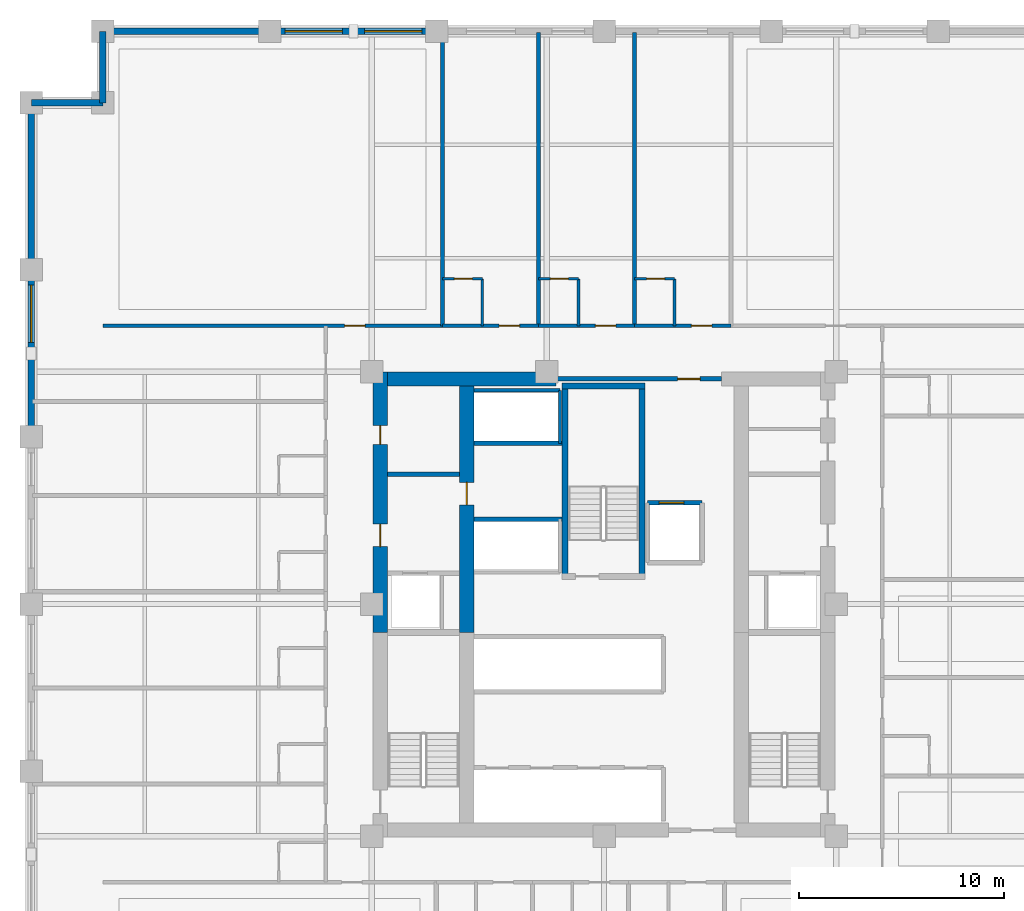
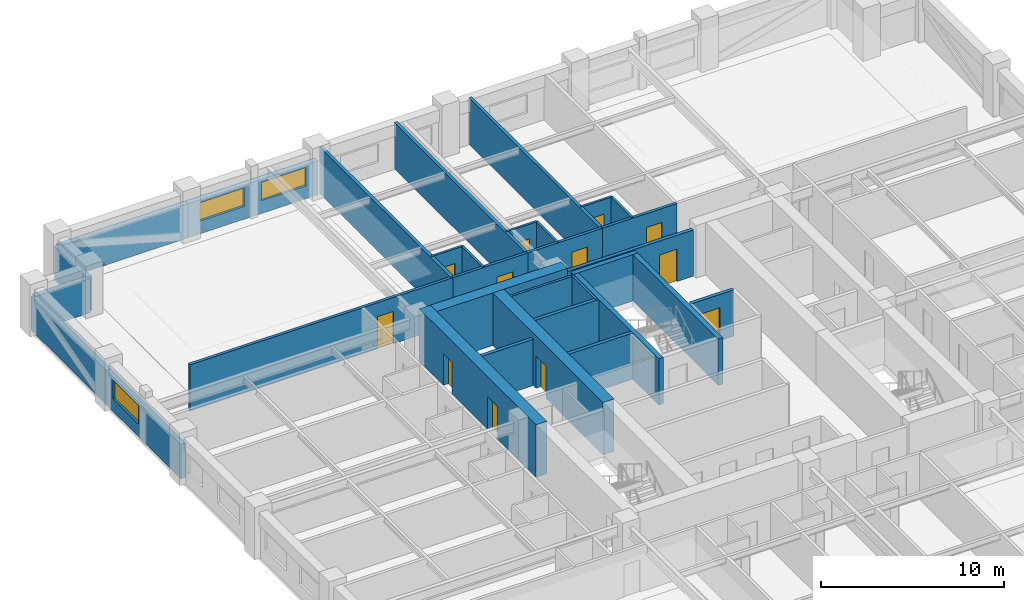
# One storey, part 5 of 12: 32 walls, 12 doors, 3 windows, 15 openings.
"""IFC4 building model written with IfcOpenShell, lengths in metres."""

from ifc_helpers import new_model, si_unit, direction, frame, frame_2d, origin, place, context, subcontext, project, spatial, rectangle, extrude, material, layer, layer_set, type_object, element, fill, save


model = new_model("IFC4")

# Units and contexts
model_context = context("Model", 3, precision=1e-05, world=origin(), true_north=direction((0.0, 1.0)))
body_context = subcontext(model_context, "Body", "Model", "MODEL_VIEW")
ifc_project = project(units=[si_unit("LENGTHUNIT", "METRE"), si_unit("AREAUNIT", "SQUARE_METRE"), si_unit("VOLUMEUNIT", "CUBIC_METRE"), si_unit("PLANEANGLEUNIT", "RADIAN"), si_unit("MASSUNIT", "GRAM", prefix="KILO")], contexts=[model_context])

# Site, building, storey
site_placement = place(None, origin())
site = spatial("IfcSite", under=ifc_project, at=site_placement, CompositionType="ELEMENT")
building_placement = place(site_placement, origin())
building = spatial("IfcBuilding", under=site, at=building_placement, Name="Nhamokura Convention Tower", CompositionType="ELEMENT")
storey_placement = place(building_placement, frame((0.0, 0.0, 38.85009765625)))
storey = spatial("IfcBuildingStorey", under=building, at=storey_placement, Name="L07", CompositionType="ELEMENT", Elevation=38.85009765625)

# Wall
ifc_material_1 = material(Name="Moisture-resistant tile-backer partition", Category="masonry")
ifc_layer_1 = layer(ifc_material_1, 0.139892578125)
ifc_layer_set_1 = layer_set([ifc_layer_1], Name="BathroomWetWall_140")
wall_type_1 = type_object("IfcWallType", Name="BathroomWetWall_140", PredefinedType="STANDARD", material=ifc_layer_set_1)
wall_1_placement = place(storey_placement, frame((26.050048828125, 45.60009765625, 0.0), z_axis=(0.0, 0.0, 1.0), x_axis=(0.0, 1.0, 0.0)))
element("IfcWall", 1, at=wall_1_placement, inside=storey, type_object=wall_type_1, Name="L07 Wall INT-L07-BW-N01E", PredefinedType="STANDARD", context=body_context, shape_type="SweptSolid", body=[
    extrude(rectangle(XDim=2.2998046875, YDim=0.139892578125, at=frame_2d((1.14990234375, 0.0))), origin(), (0.0, 0.0, 1.0), 3.079833984375),
])

# Wall, opening, door
wall_2_placement = place(storey_placement, frame((24.10009765625, 47.89990234375, 0.0), z_axis=(0.0, 0.0, 1.0), x_axis=(1.0, 0.0, 0.0)))
wall_2 = element("IfcWall", 2, at=wall_2_placement, inside=storey, type_object=wall_type_1, Name="L07 Wall INT-L07-BW-N01N", PredefinedType="STANDARD", context=body_context, shape_type="SweptSolid", body=[
    extrude(rectangle(XDim=1.949951171875, YDim=0.139892578125, at=frame_2d((0.97509765625, 0.0))), origin(), (0.0, 0.0, 1.0), 3.079833984375),
])
opening_1_placement = place(wall_2_placement, frame((0.580078125, 0.0, 0.0)))
opening_1 = element("IfcOpeningElement", 3, at=opening_1_placement, cuts=wall_2, Name="Opening D-11", PredefinedType="OPENING", context=body_context, shape_type="SweptSolid", body=[
    extrude(rectangle(XDim=0.8798828125, YDim=2.10009765625, at=frame_2d((0.43994140625, 1.050048828125))), frame((0.0, 0.079833984375, 0.0), z_axis=(0.0, -1.0, 0.0), x_axis=(1.0, 0.0, 0.0)), (0.0, 0.0, 1.0), 0.159912109375),
])
ifc_material_2 = material(Name="Solid oak hardwood", Category="wood")
door_type_1 = type_object("IfcDoorType", Name="BathroomDoor_880", OperationType="NOTDEFINED", PredefinedType="DOOR", material=ifc_material_2)
door_1_placement = place(opening_1_placement, origin())
door_1 = element("IfcDoor", 4, at=door_1_placement, inside=storey, type_object=door_type_1, Name="L07 Corner Suite En-suite Door", OperationType="SINGLE_SWING_RIGHT", OverallHeight=2.10009765625, OverallWidth=0.8798828125, PredefinedType="DOOR", context=body_context, shape_type="SweptSolid", body=[
    extrude(rectangle(XDim=0.8798828125, YDim=2.10009765625, at=frame_2d((0.43994140625, 1.050048828125))), frame((0.0, 0.02490234375, 0.0), z_axis=(0.0, -1.0, 0.0), x_axis=(1.0, 0.0, 0.0)), (0.0, 0.0, 1.0), 0.050048828125),
])
fill(opening_1, door_1)

# Wall
wall_3_placement = place(storey_placement, frame((30.75, 45.60009765625, 0.0), z_axis=(0.0, 0.0, 1.0), x_axis=(0.0, 1.0, 0.0)))
element("IfcWall", 5, at=wall_3_placement, inside=storey, type_object=wall_type_1, Name="L07 Wall INT-L07-BW-N02E", PredefinedType="STANDARD", context=body_context, shape_type="SweptSolid", body=[
    extrude(rectangle(XDim=2.2998046875, YDim=0.139892578125, at=frame_2d((1.14990234375, 0.0))), origin(), (0.0, 0.0, 1.0), 3.079833984375),
])

# Wall, opening, door
wall_4_placement = place(storey_placement, frame((28.800048828125, 47.89990234375, 0.0), z_axis=(0.0, 0.0, 1.0), x_axis=(1.0, 0.0, 0.0)))
wall_4 = element("IfcWall", 6, at=wall_4_placement, inside=storey, type_object=wall_type_1, Name="L07 Wall INT-L07-BW-N02N", PredefinedType="STANDARD", context=body_context, shape_type="SweptSolid", body=[
    extrude(rectangle(XDim=1.949951171875, YDim=0.139892578125, at=frame_2d((0.97509765625, 0.0))), origin(), (0.0, 0.0, 1.0), 3.079833984375),
])
opening_2_placement = place(wall_4_placement, frame((0.580078125, 0.0, 0.0)))
opening_2 = element("IfcOpeningElement", 7, at=opening_2_placement, cuts=wall_4, Name="Opening D-11", PredefinedType="OPENING", context=body_context, shape_type="SweptSolid", body=[
    extrude(rectangle(XDim=0.8798828125, YDim=2.10009765625, at=frame_2d((0.43994140625, 1.050048828125))), frame((0.0, 0.079833984375, 0.0), z_axis=(0.0, -1.0, 0.0), x_axis=(1.0, 0.0, 0.0)), (0.0, 0.0, 1.0), 0.159912109375),
])
door_2_placement = place(opening_2_placement, origin())
door_2 = element("IfcDoor", 8, at=door_2_placement, inside=storey, type_object=door_type_1, Name="L07 Guest Room En-suite Door", OperationType="SINGLE_SWING_RIGHT", OverallHeight=2.10009765625, OverallWidth=0.8798828125, PredefinedType="DOOR", context=body_context, shape_type="SweptSolid", body=[
    extrude(rectangle(XDim=0.8798828125, YDim=2.10009765625, at=frame_2d((0.43994140625, 1.050048828125))), frame((0.0, 0.02490234375, 0.0), z_axis=(0.0, -1.0, 0.0), x_axis=(1.0, 0.0, 0.0)), (0.0, 0.0, 1.0), 0.050048828125),
])
fill(opening_2, door_2)

# Wall
wall_5_placement = place(storey_placement, frame((35.449951171875, 45.60009765625, 0.0), z_axis=(0.0, 0.0, 1.0), x_axis=(0.0, 1.0, 0.0)))
element("IfcWall", 9, at=wall_5_placement, inside=storey, type_object=wall_type_1, Name="L07 Wall INT-L07-BW-N03E", PredefinedType="STANDARD", context=body_context, shape_type="SweptSolid", body=[
    extrude(rectangle(XDim=2.2998046875, YDim=0.139892578125, at=frame_2d((1.14990234375, 0.0))), origin(), (0.0, 0.0, 1.0), 3.079833984375),
])

# Wall, opening, door
wall_6_placement = place(storey_placement, frame((33.5, 47.89990234375, 0.0), z_axis=(0.0, 0.0, 1.0), x_axis=(1.0, 0.0, 0.0)))
wall_6 = element("IfcWall", 10, at=wall_6_placement, inside=storey, type_object=wall_type_1, Name="L07 Wall INT-L07-BW-N03N", PredefinedType="STANDARD", context=body_context, shape_type="SweptSolid", body=[
    extrude(rectangle(XDim=1.949951171875, YDim=0.139892578125, at=frame_2d((0.97509765625, 0.0))), origin(), (0.0, 0.0, 1.0), 3.079833984375),
])
opening_3_placement = place(wall_6_placement, frame((0.580078125, 0.0, 0.0)))
opening_3 = element("IfcOpeningElement", 11, at=opening_3_placement, cuts=wall_6, Name="Opening D-11", PredefinedType="OPENING", context=body_context, shape_type="SweptSolid", body=[
    extrude(rectangle(XDim=0.8798828125, YDim=2.10009765625, at=frame_2d((0.43994140625, 1.050048828125))), frame((0.0, 0.079833984375, 0.0), z_axis=(0.0, -1.0, 0.0), x_axis=(1.0, 0.0, 0.0)), (0.0, 0.0, 1.0), 0.159912109375),
])
door_3_placement = place(opening_3_placement, origin())
door_3 = element("IfcDoor", 12, at=door_3_placement, inside=storey, type_object=door_type_1, Name="L07 Corner Suite En-suite Door", OperationType="SINGLE_SWING_RIGHT", OverallHeight=2.10009765625, OverallWidth=0.8798828125, PredefinedType="DOOR", context=body_context, shape_type="SweptSolid", body=[
    extrude(rectangle(XDim=0.8798828125, YDim=2.10009765625, at=frame_2d((0.43994140625, 1.050048828125))), frame((0.0, 0.02490234375, 0.0), z_axis=(0.0, -1.0, 0.0), x_axis=(1.0, 0.0, 0.0)), (0.0, 0.0, 1.0), 0.050048828125),
])
fill(opening_3, door_3)

# Wall
ifc_material_3 = material(Name="Bronze-pigmented precast concrete C45/55", Category="concrete")
ifc_layer_2 = layer(ifc_material_3, 0.320068359375)
ifc_layer_set_2 = layer_set([ifc_layer_2], Name="BronzePrecastSpandrel_320")
wall_type_2 = type_object("IfcWallType", Name="BronzePrecastSpandrel_320", PredefinedType="USERDEFINED", material=ifc_layer_set_2)
wall_7_placement = place(storey_placement, frame((7.5, 60.0, 0.0), z_axis=(0.0, 0.0, 1.0), x_axis=(1.0, 0.0, 0.0)))
element("IfcWall", 13, at=wall_7_placement, inside=storey, type_object=wall_type_2, Name="L07 Braced-Bay Precast Wall NORTH 0", ObjectType="SPANDREL_WALL", PredefinedType="USERDEFINED", context=body_context, shape_type="SweptSolid", body=[
    extrude(rectangle(XDim=8.166748046875, YDim=0.320068359375, at=frame_2d((4.08349609375, 0.0))), origin(), (0.0, 0.0, 1.0), 2.27978515625),
])

# Wall, openings, windows
wall_8_placement = place(storey_placement, frame((15.666748046875, 60.0, 0.0), z_axis=(0.0, 0.0, 1.0), x_axis=(1.0, 0.0, 0.0)))
wall_8 = element("IfcWall", 14, at=wall_8_placement, inside=storey, type_object=wall_type_2, Name="L07 Masonry-Frame Wall NORTH 1", ObjectType="SPANDREL_WALL", PredefinedType="USERDEFINED", context=body_context, shape_type="SweptSolid", body=[
    extrude(rectangle(XDim=8.16650390625, YDim=0.320068359375, at=frame_2d((4.083251953125, 0.0))), origin(), (0.0, 0.0, 1.0), 2.27978515625),
])
opening_4_placement = place(wall_8_placement, frame((0.74169921875, 0.0, 0.85009765625)))
opening_4 = element("IfcOpeningElement", 15, at=opening_4_placement, cuts=wall_8, Name="Opening W-04", PredefinedType="OPENING", context=body_context, shape_type="SweptSolid", body=[
    extrude(rectangle(XDim=2.800048828125, YDim=1.22998046875, at=frame_2d((1.39990234375, 0.614990234375))), frame((0.0, 0.169921875, 0.0), z_axis=(0.0, -1.0, 0.0), x_axis=(1.0, 0.0, 0.0)), (0.0, 0.0, 1.0), 0.340087890625),
])
opening_5_placement = place(wall_8_placement, frame((4.625, 0.0, 0.85009765625)))
opening_5 = element("IfcOpeningElement", 16, at=opening_5_placement, cuts=wall_8, Name="Opening W-04", PredefinedType="OPENING", context=body_context, shape_type="SweptSolid", body=[
    extrude(rectangle(XDim=2.800048828125, YDim=1.22998046875, at=frame_2d((1.39990234375, 0.614990234375))), frame((0.0, 0.169921875, 0.0), z_axis=(0.0, -1.0, 0.0), x_axis=(1.0, 0.0, 0.0)), (0.0, 0.0, 1.0), 0.340087890625),
])
ifc_material_4 = material(Name="Solar-control bronze low-E double glass", Category="glass")
window_type = type_object("IfcWindowType", Name="HotelSuiteWindow_2800", PartitioningType="DOUBLE_PANEL_VERTICAL", PredefinedType="WINDOW", material=ifc_material_4)
window_1_placement = place(opening_4_placement, origin())
window_1 = element("IfcWindow", 17, at=window_1_placement, inside=storey, type_object=window_type, Name="L07 Facade Window NORTH 1-1", OverallHeight=1.22998046875, OverallWidth=2.800048828125, PartitioningType="SINGLE_PANEL", PredefinedType="WINDOW", context=body_context, shape_type="SweptSolid", body=[
    extrude(rectangle(XDim=2.800048828125, YDim=1.22998046875, at=frame_2d((1.39990234375, 0.614990234375))), frame((0.0, 0.030029296875, 0.0), z_axis=(0.0, -1.0, 0.0), x_axis=(1.0, 0.0, 0.0)), (0.0, 0.0, 1.0), 0.06005859375),
])
fill(opening_4, window_1)
window_2_placement = place(opening_5_placement, origin())
window_2 = element("IfcWindow", 18, at=window_2_placement, inside=storey, type_object=window_type, Name="L07 Facade Window NORTH 1-2", OverallHeight=1.22998046875, OverallWidth=2.800048828125, PartitioningType="SINGLE_PANEL", PredefinedType="WINDOW", context=body_context, shape_type="SweptSolid", body=[
    extrude(rectangle(XDim=2.800048828125, YDim=1.22998046875, at=frame_2d((1.39990234375, 0.614990234375))), frame((0.0, 0.030029296875, 0.0), z_axis=(0.0, -1.0, 0.0), x_axis=(1.0, 0.0, 0.0)), (0.0, 0.0, 1.0), 0.06005859375),
])
fill(opening_5, window_2)

# Wall, opening, window
wall_9_placement = place(storey_placement, frame((4.0, 40.166748046875, 0.0), z_axis=(0.0, 0.0, 1.0), x_axis=(0.0, 1.0, 0.0)))
wall_9 = element("IfcWall", 19, at=wall_9_placement, inside=storey, type_object=wall_type_2, Name="L07 Masonry-Frame Wall WEST 4", ObjectType="SPANDREL_WALL", PredefinedType="USERDEFINED", context=body_context, shape_type="SweptSolid", body=[
    extrude(rectangle(XDim=8.16650390625, YDim=0.320068359375, at=frame_2d((4.083251953125, 0.0))), origin(), (0.0, 0.0, 1.0), 2.27978515625),
])
opening_6_placement = place(wall_9_placement, frame((4.625, 0.0, 0.85009765625)))
opening_6 = element("IfcOpeningElement", 20, at=opening_6_placement, cuts=wall_9, Name="Opening W-04", PredefinedType="OPENING", context=body_context, shape_type="SweptSolid", body=[
    extrude(rectangle(XDim=2.800048828125, YDim=1.22998046875, at=frame_2d((1.39990234375, 0.614990234375))), frame((0.0, 0.169921875, 0.0), z_axis=(0.0, -1.0, 0.0), x_axis=(1.0, 0.0, 0.0)), (0.0, 0.0, 1.0), 0.340087890625),
])
window_3_placement = place(opening_6_placement, origin())
window_3 = element("IfcWindow", 21, at=window_3_placement, inside=storey, type_object=window_type, Name="L07 Facade Window WEST 4-3", OverallHeight=1.22998046875, OverallWidth=2.800048828125, PartitioningType="SINGLE_PANEL", PredefinedType="WINDOW", context=body_context, shape_type="SweptSolid", body=[
    extrude(rectangle(XDim=2.800048828125, YDim=1.22998046875, at=frame_2d((1.39990234375, 0.614990234375))), frame((0.0, 0.030029296875, 0.0), z_axis=(0.0, -1.0, 0.0), x_axis=(1.0, 0.0, 0.0)), (0.0, 0.0, 1.0), 0.06005859375),
])
fill(opening_6, window_3)

# Walls
wall_10_placement = place(storey_placement, frame((4.0, 48.333251953125, 0.0), z_axis=(0.0, 0.0, 1.0), x_axis=(0.0, 1.0, 0.0)))
element("IfcWall", 22, at=wall_10_placement, inside=storey, type_object=wall_type_2, Name="L07 Braced-Bay Precast Wall WEST 5", ObjectType="SPANDREL_WALL", PredefinedType="USERDEFINED", context=body_context, shape_type="SweptSolid", body=[
    extrude(rectangle(XDim=8.166748046875, YDim=0.320068359375, at=frame_2d((4.08349609375, 0.0))), origin(), (0.0, 0.0, 1.0), 2.27978515625),
])
for number, where, z_axis, x_axis, name in (
    (23, (7.5, 56.5, 0.0), (0.0, 0.0, 1.0), (0.0, 1.0, 0.0), "L07 Notched Corner Wall NW1"),
    (24, (4.0, 56.5, 0.0), (0.0, 0.0, 1.0), (1.0, 0.0, 0.0), "L07 Notched Corner Wall NW2"),
):
    element("IfcWall", number, at=place(storey_placement, frame(where, z_axis=z_axis, x_axis=x_axis)), inside=storey, type_object=wall_type_2, Name=name, ObjectType="SPANDREL_WALL", PredefinedType="USERDEFINED", context=body_context, shape_type="SweptSolid", body=[
        extrude(rectangle(XDim=3.5, YDim=0.320068359375, at=frame_2d((1.75, 0.0))), origin(), (0.0, 0.0, 1.0), 2.27978515625),
    ])

# Wall, openings, doors
ifc_material_5 = material(Name="Concrete C70/85", Category="concrete")
ifc_layer_3 = layer(ifc_material_5, 0.699951171875)
ifc_layer_set_3 = layer_set([ifc_layer_3], Name="CoreShearWall_700")
wall_type_3 = type_object("IfcWallType", Name="CoreShearWall_700", PredefinedType="SHEAR", material=ifc_layer_set_3)
wall_11_placement = place(storey_placement, frame((21.06005859375, 30.60009765625, 0.0), z_axis=(0.0, 0.0, 1.0), x_axis=(0.0, 1.0, 0.0)))
wall_11 = element("IfcWall", 25, at=wall_11_placement, inside=storey, type_object=wall_type_3, Name="L07 Core Shear Wall CW-WN", PredefinedType="SHEAR", context=body_context, shape_type="SweptSolid", body=[
    extrude(rectangle(XDim=12.75, YDim=0.699951171875, at=frame_2d((6.375, 0.0))), origin(), (0.0, 0.0, 1.0), 3.5),
])
opening_7_placement = place(wall_11_placement, frame((4.199951171875, 0.0, 0.0)))
opening_7 = element("IfcOpeningElement", 26, at=opening_7_placement, cuts=wall_11, Name="Opening D-05", PredefinedType="OPENING", context=body_context, shape_type="SweptSolid", body=[
    extrude(rectangle(XDim=1.10009765625, YDim=2.14990234375, at=frame_2d((0.550048828125, 1.074951171875))), frame((0.0, 0.35986328125, 0.0), z_axis=(0.0, -1.0, 0.0), x_axis=(1.0, 0.0, 0.0)), (0.0, 0.0, 1.0), 0.719970703125),
])
opening_8_placement = place(wall_11_placement, frame((9.199951171875, 0.0, 0.0)))
opening_8 = element("IfcOpeningElement", 27, at=opening_8_placement, cuts=wall_11, Name="Opening D-10", PredefinedType="OPENING", context=body_context, shape_type="SweptSolid", body=[
    extrude(rectangle(XDim=0.919921875, YDim=2.10009765625, at=frame_2d((0.4599609375, 1.050048828125))), frame((0.0, 0.35986328125, 0.0), z_axis=(0.0, -1.0, 0.0), x_axis=(1.0, 0.0, 0.0)), (0.0, 0.0, 1.0), 0.719970703125),
])
ifc_material_6 = material(Name="Solid oak hardwood", Category="wood")
door_type_2 = type_object("IfcDoorType", Name="AccessibleWCDoor_920", OperationType="NOTDEFINED", PredefinedType="DOOR", material=ifc_material_6)
door_4_placement = place(opening_8_placement, origin())
door_4 = element("IfcDoor", 28, at=door_4_placement, inside=storey, type_object=door_type_2, Name="L07 Core Door INT-L07-D-AWC", OperationType="SINGLE_SWING_LEFT", OverallHeight=2.10009765625, OverallWidth=0.919921875, PredefinedType="DOOR", context=body_context, shape_type="SweptSolid", body=[
    extrude(rectangle(XDim=0.919921875, YDim=2.10009765625, at=frame_2d((0.4599609375, 1.050048828125))), frame((0.0, 0.02490234375, 0.0), z_axis=(0.0, -1.0, 0.0), x_axis=(1.0, 0.0, 0.0)), (0.0, 0.0, 1.0), 0.050048828125),
])
fill(opening_8, door_4)
ifc_material_7 = material(Name="Fire-rated steel door", Category="steel")
door_type_3 = type_object("IfcDoorType", Name="FireLobbyDoor_1100", OperationType="NOTDEFINED", PredefinedType="DOOR", material=ifc_material_7)
door_5_placement = place(opening_7_placement, origin())
door_5 = element("IfcDoor", 29, at=door_5_placement, inside=storey, type_object=door_type_3, Name="L07 Core Door INT-L07-D-FFLW", OperationType="SINGLE_SWING_RIGHT", OverallHeight=2.14990234375, OverallWidth=1.10009765625, PredefinedType="DOOR", context=body_context, shape_type="SweptSolid", body=[
    extrude(rectangle(XDim=1.10009765625, YDim=2.14990234375, at=frame_2d((0.550048828125, 1.074951171875))), frame((0.0, 0.02490234375, 0.0), z_axis=(0.0, -1.0, 0.0), x_axis=(1.0, 0.0, 0.0)), (0.0, 0.0, 1.0), 0.050048828125),
])
fill(opening_7, door_5)

# Wall
wall_12_placement = place(storey_placement, frame((21.409912109375, 43.0, 0.0), z_axis=(0.0, 0.0, 1.0), x_axis=(1.0, 0.0, 0.0)))
element("IfcWall", 30, at=wall_12_placement, inside=storey, type_object=wall_type_3, Name="L07 Core Shear Wall CW-N1", PredefinedType="SHEAR", context=body_context, shape_type="SweptSolid", body=[
    extrude(rectangle(XDim=8.239990234375, YDim=0.699951171875, at=frame_2d((4.1201171875, 0.0))), origin(), (0.0, 0.0, 1.0), 3.5),
])

# Wall, opening, door
wall_13_placement = place(storey_placement, frame((25.2900390625, 30.60009765625, 0.0), z_axis=(0.0, 0.0, 1.0), x_axis=(0.0, 1.0, 0.0)))
wall_13 = element("IfcWall", 31, at=wall_13_placement, inside=storey, type_object=wall_type_3, Name="L07 Core Shear Wall CW-IWN", PredefinedType="SHEAR", context=body_context, shape_type="SweptSolid", body=[
    extrude(rectangle(XDim=12.0498046875, YDim=0.699951171875, at=frame_2d((6.02490234375, 0.0))), origin(), (0.0, 0.0, 1.0), 3.5),
])
opening_9_placement = place(wall_13_placement, frame((6.25, 0.0, 0.0)))
opening_9 = element("IfcOpeningElement", 32, at=opening_9_placement, cuts=wall_13, Name="Opening D-05", PredefinedType="OPENING", context=body_context, shape_type="SweptSolid", body=[
    extrude(rectangle(XDim=1.10009765625, YDim=2.14990234375, at=frame_2d((0.550048828125, 1.074951171875))), frame((0.0, 0.35986328125, 0.0), z_axis=(0.0, -1.0, 0.0), x_axis=(1.0, 0.0, 0.0)), (0.0, 0.0, 1.0), 0.719970703125),
])
door_6_placement = place(opening_9_placement, origin())
door_6 = element("IfcDoor", 33, at=door_6_placement, inside=storey, type_object=door_type_3, Name="L07 Core Door INT-L07-D-B3LOB", OperationType="SINGLE_SWING_LEFT", OverallHeight=2.14990234375, OverallWidth=1.10009765625, PredefinedType="DOOR", context=body_context, shape_type="SweptSolid", body=[
    extrude(rectangle(XDim=1.10009765625, YDim=2.14990234375, at=frame_2d((0.550048828125, 1.074951171875))), frame((0.0, 0.02490234375, 0.0), z_axis=(0.0, -1.0, 0.0), x_axis=(1.0, 0.0, 0.0)), (0.0, 0.0, 1.0), 0.050048828125),
])
fill(opening_9, door_6)

ifc_material_8 = material(Name="Fire-rated gypsum and masonry partition", Category="masonry")
ifc_layer_4 = layer(ifc_material_8, 0.179931640625)
ifc_layer_set_4 = layer_set([ifc_layer_4], Name="CorridorRatedWall_180")
wall_type_4 = type_object("IfcWallType", Name="CorridorRatedWall_180", PredefinedType="STANDARD", material=ifc_layer_set_4)
wall_14_placement = place(storey_placement, frame((7.5, 45.60009765625, 0.0), z_axis=(0.0, 0.0, 1.0), x_axis=(1.0, 0.0, 0.0)))
wall_14 = element("IfcWall", 34, at=wall_14_placement, inside=storey, type_object=wall_type_4, Name="L07 Wall INT-L07-CW-N00", PredefinedType="STANDARD", context=body_context, shape_type="SweptSolid", body=[
    extrude(rectangle(XDim=16.60009765625, YDim=0.179931640625, at=frame_2d((8.300048828125, 0.0))), origin(), (0.0, 0.0, 1.0), 3.079833984375),
])
opening_10_placement = place(wall_14_placement, frame((11.824951171875, 0.0, 0.0)))
opening_10 = element("IfcOpeningElement", 35, at=opening_10_placement, cuts=wall_14, Name="Opening D-07", PredefinedType="OPENING", context=body_context, shape_type="SweptSolid", body=[
    extrude(rectangle(XDim=1.0, YDim=2.14990234375, at=frame_2d((0.5, 1.074951171875))), frame((0.0, 0.099853515625, 0.0), z_axis=(0.0, -1.0, 0.0), x_axis=(1.0, 0.0, 0.0)), (0.0, 0.0, 1.0), 0.199951171875),
])
ifc_material_9 = material(Name="Solid oak hardwood", Category="wood")
door_type_4 = type_object("IfcDoorType", Name="HotelSuiteEntryDoor_1000", OperationType="NOTDEFINED", PredefinedType="DOOR", material=ifc_material_9)
door_7_placement = place(opening_10_placement, origin())
door_7 = element("IfcDoor", 36, at=door_7_placement, inside=storey, type_object=door_type_4, Name="L07 Conference Salon N01 Door", OperationType="SINGLE_SWING_LEFT", OverallHeight=2.14990234375, OverallWidth=1.0, PredefinedType="DOOR", context=body_context, shape_type="SweptSolid", body=[
    extrude(rectangle(XDim=1.0, YDim=2.14990234375, at=frame_2d((0.5, 1.074951171875))), frame((0.0, 0.02490234375, 0.0), z_axis=(0.0, -1.0, 0.0), x_axis=(1.0, 0.0, 0.0)), (0.0, 0.0, 1.0), 0.050048828125),
])
fill(opening_10, door_7)

wall_15_placement = place(storey_placement, frame((24.10009765625, 45.60009765625, 0.0), z_axis=(0.0, 0.0, 1.0), x_axis=(1.0, 0.0, 0.0)))
wall_15 = element("IfcWall", 37, at=wall_15_placement, inside=storey, type_object=wall_type_4, Name="L07 Wall INT-L07-CW-N01", PredefinedType="STANDARD", context=body_context, shape_type="SweptSolid", body=[
    extrude(rectangle(XDim=4.699951171875, YDim=0.179931640625, at=frame_2d((2.35009765625, 0.0))), origin(), (0.0, 0.0, 1.0), 3.079833984375),
])
opening_11_placement = place(wall_15_placement, frame((2.77490234375, 0.0, 0.0)))
opening_11 = element("IfcOpeningElement", 38, at=opening_11_placement, cuts=wall_15, Name="Opening D-07", PredefinedType="OPENING", context=body_context, shape_type="SweptSolid", body=[
    extrude(rectangle(XDim=1.0, YDim=2.14990234375, at=frame_2d((0.5, 1.074951171875))), frame((0.0, 0.099853515625, 0.0), z_axis=(0.0, -1.0, 0.0), x_axis=(1.0, 0.0, 0.0)), (0.0, 0.0, 1.0), 0.199951171875),
])
door_8_placement = place(opening_11_placement, origin())
door_8 = element("IfcDoor", 39, at=door_8_placement, inside=storey, type_object=door_type_4, Name="L07 Corner Suite N02 Door", OperationType="SINGLE_SWING_RIGHT", OverallHeight=2.14990234375, OverallWidth=1.0, PredefinedType="DOOR", context=body_context, shape_type="SweptSolid", body=[
    extrude(rectangle(XDim=1.0, YDim=2.14990234375, at=frame_2d((0.5, 1.074951171875))), frame((0.0, 0.02490234375, 0.0), z_axis=(0.0, -1.0, 0.0), x_axis=(1.0, 0.0, 0.0)), (0.0, 0.0, 1.0), 0.050048828125),
])
fill(opening_11, door_8)

wall_16_placement = place(storey_placement, frame((28.800048828125, 45.60009765625, 0.0), z_axis=(0.0, 0.0, 1.0), x_axis=(1.0, 0.0, 0.0)))
wall_16 = element("IfcWall", 40, at=wall_16_placement, inside=storey, type_object=wall_type_4, Name="L07 Wall INT-L07-CW-N02", PredefinedType="STANDARD", context=body_context, shape_type="SweptSolid", body=[
    extrude(rectangle(XDim=4.699951171875, YDim=0.179931640625, at=frame_2d((2.35009765625, 0.0))), origin(), (0.0, 0.0, 1.0), 3.079833984375),
])
opening_12_placement = place(wall_16_placement, frame((2.77490234375, 0.0, 0.0)))
opening_12 = element("IfcOpeningElement", 41, at=opening_12_placement, cuts=wall_16, Name="Opening D-07", PredefinedType="OPENING", context=body_context, shape_type="SweptSolid", body=[
    extrude(rectangle(XDim=1.0, YDim=2.14990234375, at=frame_2d((0.5, 1.074951171875))), frame((0.0, 0.099853515625, 0.0), z_axis=(0.0, -1.0, 0.0), x_axis=(1.0, 0.0, 0.0)), (0.0, 0.0, 1.0), 0.199951171875),
])
door_9_placement = place(opening_12_placement, origin())
door_9 = element("IfcDoor", 42, at=door_9_placement, inside=storey, type_object=door_type_4, Name="L07 Guest Room N03 Door", OperationType="SINGLE_SWING_LEFT", OverallHeight=2.14990234375, OverallWidth=1.0, PredefinedType="DOOR", context=body_context, shape_type="SweptSolid", body=[
    extrude(rectangle(XDim=1.0, YDim=2.14990234375, at=frame_2d((0.5, 1.074951171875))), frame((0.0, 0.02490234375, 0.0), z_axis=(0.0, -1.0, 0.0), x_axis=(1.0, 0.0, 0.0)), (0.0, 0.0, 1.0), 0.050048828125),
])
fill(opening_12, door_9)

wall_17_placement = place(storey_placement, frame((33.5, 45.60009765625, 0.0), z_axis=(0.0, 0.0, 1.0), x_axis=(1.0, 0.0, 0.0)))
wall_17 = element("IfcWall", 43, at=wall_17_placement, inside=storey, type_object=wall_type_4, Name="L07 Wall INT-L07-CW-N03", PredefinedType="STANDARD", context=body_context, shape_type="SweptSolid", body=[
    extrude(rectangle(XDim=4.699951171875, YDim=0.179931640625, at=frame_2d((2.35009765625, 0.0))), origin(), (0.0, 0.0, 1.0), 3.079833984375),
])
opening_13_placement = place(wall_17_placement, frame((2.77490234375, 0.0, 0.0)))
opening_13 = element("IfcOpeningElement", 44, at=opening_13_placement, cuts=wall_17, Name="Opening D-07", PredefinedType="OPENING", context=body_context, shape_type="SweptSolid", body=[
    extrude(rectangle(XDim=1.0, YDim=2.14990234375, at=frame_2d((0.5, 1.074951171875))), frame((0.0, 0.099853515625, 0.0), z_axis=(0.0, -1.0, 0.0), x_axis=(1.0, 0.0, 0.0)), (0.0, 0.0, 1.0), 0.199951171875),
])
door_10_placement = place(opening_13_placement, origin())
door_10 = element("IfcDoor", 45, at=door_10_placement, inside=storey, type_object=door_type_4, Name="L07 Corner Suite N04 Door", OperationType="SINGLE_SWING_RIGHT", OverallHeight=2.14990234375, OverallWidth=1.0, PredefinedType="DOOR", context=body_context, shape_type="SweptSolid", body=[
    extrude(rectangle(XDim=1.0, YDim=2.14990234375, at=frame_2d((0.5, 1.074951171875))), frame((0.0, 0.02490234375, 0.0), z_axis=(0.0, -1.0, 0.0), x_axis=(1.0, 0.0, 0.0)), (0.0, 0.0, 1.0), 0.050048828125),
])
fill(opening_13, door_10)

# Walls
ifc_material_10 = material(Name="Autoclaved concrete blockwork", Category="masonry")
ifc_layer_5 = layer(ifc_material_10, 0.219970703125)
ifc_layer_set_5 = layer_set([ifc_layer_5], Name="FireLobbyWall_220")
wall_type_5 = type_object("IfcWallType", Name="FireLobbyWall_220", PredefinedType="STANDARD", material=ifc_layer_set_5)
wall_18_placement = place(storey_placement, frame((21.409912109375, 38.35009765625, 0.0), z_axis=(0.0, 0.0, 1.0), x_axis=(1.0, 0.0, 0.0)))
element("IfcWall", 46, at=wall_18_placement, inside=storey, type_object=wall_type_5, Name="L07 Wall INT-L07-FFW-N", PredefinedType="STANDARD", context=body_context, shape_type="SweptSolid", body=[
    extrude(rectangle(XDim=3.530029296875, YDim=0.219970703125, at=frame_2d((1.76513671875, 0.0))), origin(), (0.0, 0.0, 1.0), 3.079833984375),
])
for number, where, z_axis, x_axis, name in (
    (47, (25.64990234375, 36.14990234375, 0.0), (0.0, 0.0, 1.0), (1.0, 0.0, 0.0), "L07 Wall INT-L07-B3S"),
    (48, (25.64990234375, 39.85009765625, 0.0), (0.0, 0.0, 1.0), (1.0, 0.0, 0.0), "L07 Wall INT-L07-B3N"),
):
    element("IfcWall", number, at=place(storey_placement, frame(where, z_axis=z_axis, x_axis=x_axis)), inside=storey, type_object=wall_type_5, Name=name, PredefinedType="STANDARD", context=body_context, shape_type="SweptSolid", body=[
        extrude(rectangle(XDim=4.300048828125, YDim=0.219970703125, at=frame_2d((2.14990234375, 0.0))), origin(), (0.0, 0.0, 1.0), 3.079833984375),
    ])

# Wall, opening, door
wall_19_placement = place(storey_placement, frame((29.64990234375, 43.0, 0.0), z_axis=(0.0, 0.0, 1.0), x_axis=(1.0, 0.0, 0.0)))
wall_19 = element("IfcWall", 49, at=wall_19_placement, inside=storey, type_object=wall_type_5, Name="L07 Wall INT-L07-CPORT-N", PredefinedType="STANDARD", context=body_context, shape_type="SweptSolid", body=[
    extrude(rectangle(XDim=8.10009765625, YDim=0.219970703125, at=frame_2d((4.050048828125, 0.0))), origin(), (0.0, 0.0, 1.0), 3.079833984375),
])
opening_14_placement = place(wall_19_placement, frame((5.949951171875, 0.0, 0.0)))
opening_14 = element("IfcOpeningElement", 50, at=opening_14_placement, cuts=wall_19, Name="Opening D-05", PredefinedType="OPENING", context=body_context, shape_type="SweptSolid", body=[
    extrude(rectangle(XDim=1.10009765625, YDim=2.14990234375, at=frame_2d((0.550048828125, 1.074951171875))), frame((0.0, 0.119873046875, 0.0), z_axis=(0.0, -1.0, 0.0), x_axis=(1.0, 0.0, 0.0)), (0.0, 0.0, 1.0), 0.239990234375),
])
door_11_placement = place(opening_14_placement, origin())
door_11 = element("IfcDoor", 51, at=door_11_placement, inside=storey, type_object=door_type_3, Name="L07 North Core Lobby Portal Door", OperationType="SINGLE_SWING_RIGHT", OverallHeight=2.14990234375, OverallWidth=1.10009765625, PredefinedType="DOOR", context=body_context, shape_type="SweptSolid", body=[
    extrude(rectangle(XDim=1.10009765625, YDim=2.14990234375, at=frame_2d((0.550048828125, 1.074951171875))), frame((0.0, 0.02490234375, 0.0), z_axis=(0.0, -1.0, 0.0), x_axis=(1.0, 0.0, 0.0)), (0.0, 0.0, 1.0), 0.050048828125),
])
fill(opening_14, door_11)

wall_20_placement = place(storey_placement, frame((34.1201171875, 36.949951171875, 0.0), z_axis=(0.0, 0.0, 1.0), x_axis=(1.0, 0.0, 0.0)))
wall_20 = element("IfcWall", 52, at=wall_20_placement, inside=storey, type_object=wall_type_5, Name="L07 Wall INT-L07-LSN", PredefinedType="STANDARD", context=body_context, shape_type="SweptSolid", body=[
    extrude(rectangle(XDim=2.679931640625, YDim=0.219970703125, at=frame_2d((1.33984375, 0.0))), origin(), (0.0, 0.0, 1.0), 3.079833984375),
])
opening_15_placement = place(wall_20_placement, frame((0.580078125, 0.0, 0.0)))
opening_15 = element("IfcOpeningElement", 53, at=opening_15_placement, cuts=wall_20, Name="Opening LD-02", PredefinedType="OPENING", context=body_context, shape_type="SweptSolid", body=[
    extrude(rectangle(XDim=1.199951171875, YDim=2.199951171875, at=frame_2d((0.60009765625, 1.10009765625))), frame((0.0, 0.119873046875, 0.0), z_axis=(0.0, -1.0, 0.0), x_axis=(1.0, 0.0, 0.0)), (0.0, 0.0, 1.0), 0.239990234375),
])
ifc_material_11 = material(Name="Anodised bronze stainless steel", Category="steel")
door_type_5 = type_object("IfcDoorType", Name="LiftLandingDoor_FireService", OperationType="DOUBLE_DOOR_SLIDING", PredefinedType="DOOR", material=ifc_material_11)
door_12_placement = place(opening_15_placement, origin())
door_12 = element("IfcDoor", 54, at=door_12_placement, inside=storey, type_object=door_type_5, Name="L07 Service Lift LS-01 Door", OperationType="DOUBLE_DOOR_SLIDING", OverallHeight=2.199951171875, OverallWidth=1.199951171875, PredefinedType="DOOR", context=body_context, shape_type="SweptSolid", body=[
    extrude(rectangle(XDim=1.199951171875, YDim=2.199951171875, at=frame_2d((0.60009765625, 1.10009765625))), frame((0.0, 0.02490234375, 0.0), z_axis=(0.0, -1.0, 0.0), x_axis=(1.0, 0.0, 0.0)), (0.0, 0.0, 1.0), 0.050048828125),
])
fill(opening_15, door_12)

# Walls
ifc_material_12 = material(Name="Acoustic twin-stud gypsum partition", Category="masonry")
ifc_layer_6 = layer(ifc_material_12, 0.199951171875)
ifc_layer_set_6 = layer_set([ifc_layer_6], Name="HotelDemisingWall_200")
wall_type_6 = type_object("IfcWallType", Name="HotelDemisingWall_200", PredefinedType="STANDARD", material=ifc_layer_set_6)
for number, where, z_axis, x_axis, name in (
    (55, (24.10009765625, 45.60009765625, 0.0), (0.0, 0.0, 1.0), (0.0, 1.0, 0.0), "L07 Wall INT-L07-RW-N01"),
    (56, (28.800048828125, 45.60009765625, 0.0), (0.0, 0.0, 1.0), (0.0, 1.0, 0.0), "L07 Wall INT-L07-RW-N02"),
    (57, (33.5, 45.60009765625, 0.0), (0.0, 0.0, 1.0), (0.0, 1.0, 0.0), "L07 Wall INT-L07-RW-N03"),
):
    element("IfcWall", number, at=place(storey_placement, frame(where, z_axis=z_axis, x_axis=x_axis)), inside=storey, type_object=wall_type_6, Name=name, PredefinedType="STANDARD", context=body_context, shape_type="SweptSolid", body=[
        extrude(rectangle(XDim=14.33984375, YDim=0.199951171875, at=frame_2d((7.169921875, 0.0))), origin(), (0.0, 0.0, 1.0), 3.079833984375),
    ])
ifc_material_13 = material(Name="Acoustic gypsum stud partition", Category="masonry")
ifc_layer_7 = layer(ifc_material_13, 0.14990234375)
ifc_layer_set_7 = layer_set([ifc_layer_7], Name="InteriorPartition_150")
wall_type_7 = type_object("IfcWallType", Name="InteriorPartition_150", PredefinedType="STANDARD", material=ifc_layer_set_7)
wall_21_placement = place(storey_placement, frame((25.64990234375, 42.449951171875, 0.0), z_axis=(0.0, 0.0, 1.0), x_axis=(1.0, 0.0, 0.0)))
element("IfcWall", 58, at=wall_21_placement, inside=storey, type_object=wall_type_7, Name="L07 Wall INT-L07-B3B-N", PredefinedType="STANDARD", context=body_context, shape_type="SweptSolid", body=[
    extrude(rectangle(XDim=4.2001953125, YDim=0.14990234375, at=frame_2d((2.10009765625, 0.0))), origin(), (0.0, 0.0, 1.0), 3.079833984375),
])
wall_22_placement = place(storey_placement, frame((29.85009765625, 39.85009765625, 0.0), z_axis=(0.0, 0.0, 1.0), x_axis=(0.0, 1.0, 0.0)))
element("IfcWall", 59, at=wall_22_placement, inside=storey, type_object=wall_type_7, Name="L07 Wall INT-L07-B3B-E", PredefinedType="STANDARD", context=body_context, shape_type="SweptSolid", body=[
    extrude(rectangle(XDim=2.599853515625, YDim=0.14990234375, at=frame_2d((1.2998046875, 0.0))), origin(), (0.0, 0.0, 1.0), 3.079833984375),
])
ifc_material_14 = material(Name="Concrete C50/60", Category="concrete")
ifc_layer_8 = layer(ifc_material_14, 0.300048828125)
ifc_layer_set_8 = layer_set([ifc_layer_8], Name="ShaftEnclosureWall_300")
wall_type_8 = type_object("IfcWallType", Name="ShaftEnclosureWall_300", PredefinedType="SHEAR", material=ifc_layer_set_8)
for number, where, z_axis, x_axis, name in (
    (60, (30.10009765625, 33.199951171875, 0.0), (0.0, 0.0, 1.0), (0.0, 1.0, 0.0), "L07 Wall INT-L07-ST03W"),
    (61, (33.85009765625, 33.199951171875, 0.0), (0.0, 0.0, 1.0), (0.0, 1.0, 0.0), "L07 Wall INT-L07-ST03E"),
):
    element("IfcWall", number, at=place(storey_placement, frame(where, z_axis=z_axis, x_axis=x_axis)), inside=storey, type_object=wall_type_8, Name=name, PredefinedType="SHEAR", context=body_context, shape_type="SweptSolid", body=[
        extrude(rectangle(XDim=9.60009765625, YDim=0.300048828125, at=frame_2d((4.800048828125, 0.0))), origin(), (0.0, 0.0, 1.0), 3.079833984375),
    ])
wall_23_placement = place(storey_placement, frame((29.949951171875, 42.64990234375, 0.0), z_axis=(0.0, 0.0, 1.0), x_axis=(1.0, 0.0, 0.0)))
element("IfcWall", 62, at=wall_23_placement, inside=storey, type_object=wall_type_8, Name="L07 Wall INT-L07-ST03N", PredefinedType="SHEAR", context=body_context, shape_type="SweptSolid", body=[
    extrude(rectangle(XDim=4.050048828125, YDim=0.300048828125, at=frame_2d((2.02490234375, 0.0))), origin(), (0.0, 0.0, 1.0), 3.079833984375),
])

save(model, "model.ifc")
